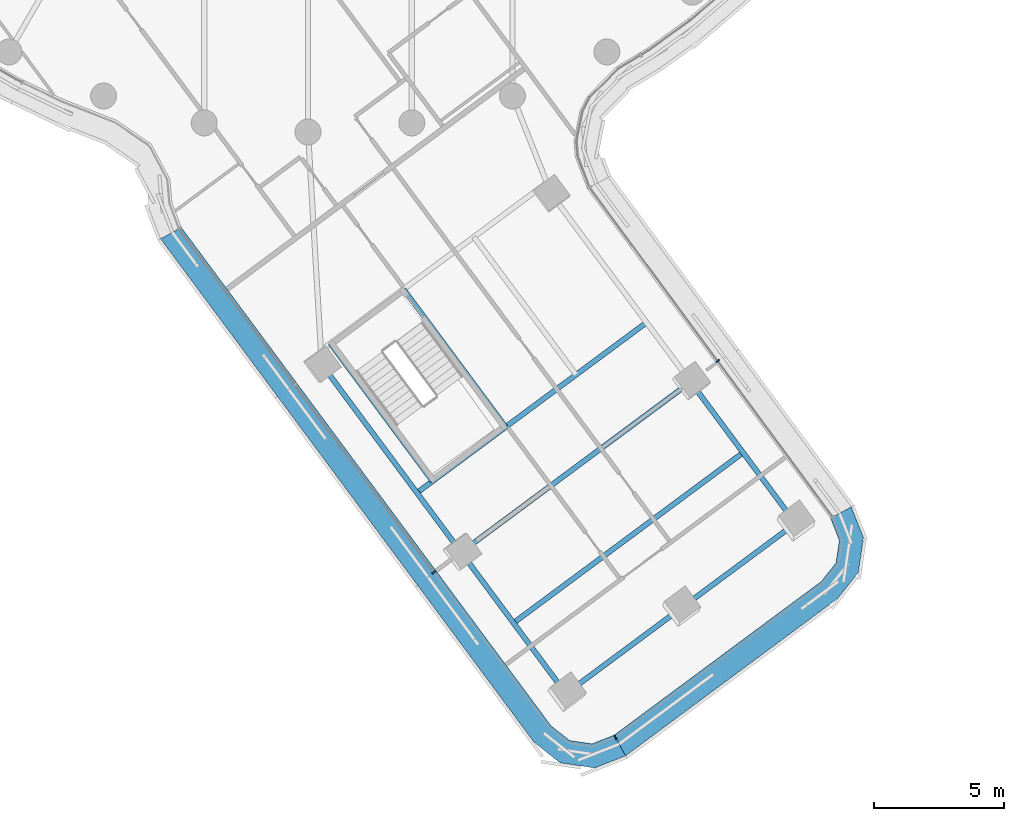
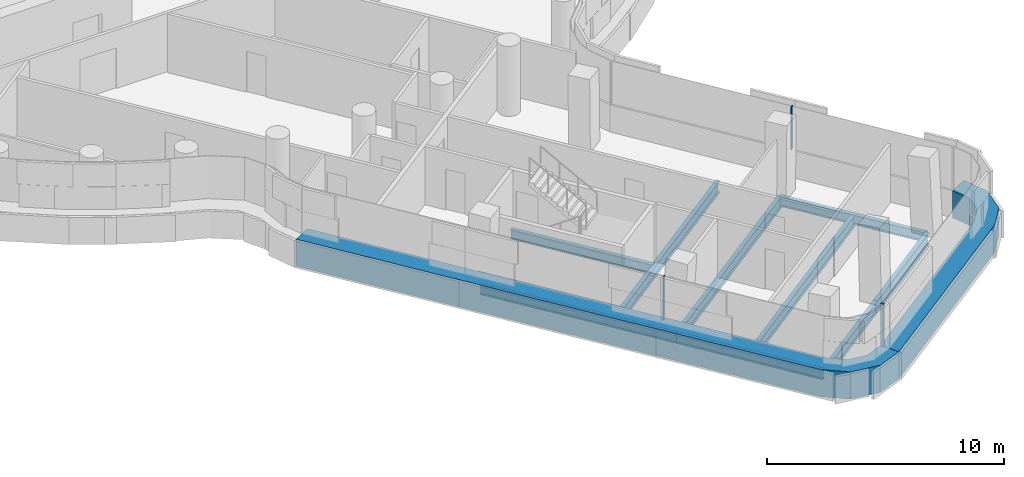
# One storey, part 4 of 32: 10 beams, 5 members, 3 elements without a shape of their own.
"""IFC4 building model written with IfcOpenShell, lengths in metres."""

from ifc_helpers import new_model, si_unit, direction, frame, origin, origin_2d, place, context, subcontext, project, spatial, polyline, rectangle, i_section, outline, extrude, material, layer, layer_set, material_profile, profile_set, type_object, element, aggregate, save


model = new_model("IFC4")

# Units and contexts
model_context = context("Model", 3, precision=1e-05, world=origin(), true_north=direction((0.0, 1.0)))
body_context = subcontext(model_context, "Body", "Model", "MODEL_VIEW")
ifc_project = project(units=[si_unit("LENGTHUNIT", "METRE"), si_unit("AREAUNIT", "SQUARE_METRE"), si_unit("VOLUMEUNIT", "CUBIC_METRE"), si_unit("PLANEANGLEUNIT", "RADIAN"), si_unit("MASSUNIT", "GRAM", prefix="KILO")], contexts=[model_context])

# Site, building, storey
site_placement = place(None, origin())
site = spatial("IfcSite", under=ifc_project, at=site_placement, CompositionType="ELEMENT")
building_placement = place(site_placement, origin())
building = spatial("IfcBuilding", under=site, at=building_placement, Name="Tamarind Cross Interchange Tower", CompositionType="ELEMENT")
storey_placement = place(building_placement, frame((0.0, 0.0, 166.75)))
storey = spatial("IfcBuildingStorey", under=building, at=storey_placement, Name="L41", CompositionType="ELEMENT", Elevation=166.75)

# Beams
ifc_material_1 = material(Name="Steel Q355B", Category="steel")
ifc_material_profile_1 = material_profile(ifc_material_1, i_section(OverallWidth=0.198974609375, OverallDepth=0.49609375, WebThickness=0.009033203125, FlangeThickness=0.013916015625, FilletRadius=0.012939453125, at=origin_2d()), Name="HN 496x199x9x14")
ifc_profile_set_1 = profile_set([ifc_material_profile_1], Name="Steel Q355B")
beam_type_1 = type_object("IfcBeamType", Name="Composite beam HN 496x199x9x14 Q355B", PredefinedType="BEAM", material=ifc_profile_set_1)
beam_1_placement = place(storey_placement, frame((9.92529296875, -44.611572265625, -0.387939453125), z_axis=(-0.595787681716, 0.803141978928, 0.0), x_axis=(-0.803141978928, -0.595787681716, 0.0)))
element("IfcBeam", 1, at=beam_1_placement, inside=storey, type_object=beam_type_1, Name="Beam S-edgeem5", PredefinedType="BEAM", context=body_context, shape_type="SweptSolid", body=[
    extrude(i_section(OverallWidth=0.198974609375, OverallDepth=0.49609375, WebThickness=0.009033203125, FlangeThickness=0.013916015625, FilletRadius=0.012939453125, at=origin_2d()), origin(), (0.0, 0.0, 1.0), 6.773681640625),
])
beam_2_placement = place(storey_placement, frame((5.8896484375, -39.17138671875, -0.387939453125), z_axis=(-0.595772989067, 0.803152878036, 0.0), x_axis=(-0.803152878036, -0.595772989067, 0.0)))
element("IfcBeam", 2, at=beam_2_placement, inside=storey, type_object=beam_type_1, Name="Beam S-edgeem6", PredefinedType="BEAM", context=body_context, shape_type="SweptSolid", body=[
    extrude(i_section(OverallWidth=0.198974609375, OverallDepth=0.49609375, WebThickness=0.009033203125, FlangeThickness=0.013916015625, FilletRadius=0.012939453125, at=origin_2d()), origin(), (0.0, 0.0, 1.0), 9.000244140625),
])
beam_3_placement = place(storey_placement, frame((18.759765625, -38.057861328125, -0.387939453125), z_axis=(-0.595764432018, 0.803159225523, 0.0), x_axis=(-0.803159225523, -0.595764432018, 0.0)))
element("IfcBeam", 3, at=beam_3_placement, inside=storey, type_object=beam_type_1, Name="Beam S-edgeep2", PredefinedType="BEAM", context=body_context, shape_type="SweptSolid", body=[
    extrude(i_section(OverallWidth=0.198974609375, OverallDepth=0.49609375, WebThickness=0.009033203125, FlangeThickness=0.013916015625, FilletRadius=0.012939453125, at=origin_2d()), origin(), (0.0, 0.0, 1.0), 6.7734375),
])
for number, where, z_axis, x_axis, name in (
    (4, (0.86181640625, -31.134765625, -0.387939453125), (0.595777656859, -0.803149415481, 0.0), (0.803149415481, 0.595777656859, 0.0), "Beam S-tr0"),
    (5, (3.6728515625, -29.049560546875, -0.387939453125), (0.595777656859, -0.803149415481, 0.0), (0.803149415481, 0.595777656859, 0.0), "Beam S-tr1"),
):
    element("IfcBeam", number, at=place(storey_placement, frame(where, z_axis=z_axis, x_axis=x_axis)), inside=storey, type_object=beam_type_1, Name=name, PredefinedType="BEAM", context=body_context, shape_type="SweptSolid", body=[
        extrude(i_section(OverallWidth=0.198974609375, OverallDepth=0.49609375, WebThickness=0.009033203125, FlangeThickness=0.013916015625, FilletRadius=0.012939453125, at=origin_2d()), origin(), (0.0, 0.0, 1.0), 6.60009765625),
    ])
ifc_material_profile_2 = material_profile(ifc_material_1, i_section(OverallWidth=0.199951171875, OverallDepth=0.60009765625, WebThickness=0.010986328125, FlangeThickness=0.01708984375, FilletRadius=0.012939453125, at=origin_2d()), Name="HN 600x200x11x17")
ifc_profile_set_2 = profile_set([ifc_material_profile_2], Name="Steel Q355B")
beam_type_2 = type_object("IfcBeamType", Name="Composite beam HN 600x200x11x17 Q355B", PredefinedType="BEAM", material=ifc_profile_set_2)
for number, where, z_axis, x_axis, name in (
    (6, (9.92529296875, -44.611572265625, -0.43994140625), (0.803137083206, 0.595794281258, 0.0), (-0.595794281258, 0.803137083206, 0.0), "Beam S-tip0"),
    (7, (14.342529296875, -41.334716796875, -0.43994140625), (0.803137083206, 0.595794281258, 0.0), (-0.595794281258, 0.803137083206, 0.0), "Beam S-tip1"),
):
    element("IfcBeam", number, at=place(storey_placement, frame(where, z_axis=z_axis, x_axis=x_axis)), inside=storey, type_object=beam_type_2, Name=name, PredefinedType="BEAM", context=body_context, shape_type="SweptSolid", body=[
        extrude(i_section(OverallWidth=0.199951171875, OverallDepth=0.60009765625, WebThickness=0.010986328125, FlangeThickness=0.01708984375, FilletRadius=0.012939453125, at=origin_2d()), origin(), (0.0, 0.0, 1.0), 5.5),
    ])
beam_4_placement = place(storey_placement, frame((4.191650390625, -36.88232421875, -0.43994140625), z_axis=(0.803155581461, 0.595769344603, 0.0), x_axis=(-0.595769344603, 0.803155581461, 0.0)))
element("IfcBeam", 8, at=beam_4_placement, inside=storey, type_object=beam_type_2, Name="Beam S-x364", PredefinedType="BEAM", context=body_context, shape_type="SweptSolid", body=[
    extrude(i_section(OverallWidth=0.199951171875, OverallDepth=0.60009765625, WebThickness=0.010986328125, FlangeThickness=0.01708984375, FilletRadius=0.012939453125, at=origin_2d()), origin(), (0.0, 0.0, 1.0), 11.0),
])
beam_5_placement = place(storey_placement, frame((5.8896484375, -39.17138671875, -0.43994140625), z_axis=(0.803144961463, 0.595783661136, 0.0), x_axis=(-0.595783661136, 0.803144961463, 0.0)))
element("IfcBeam", 9, at=beam_5_placement, inside=storey, type_object=beam_type_2, Name="Beam S-x393", PredefinedType="BEAM", context=body_context, shape_type="SweptSolid", body=[
    extrude(i_section(OverallWidth=0.199951171875, OverallDepth=0.60009765625, WebThickness=0.010986328125, FlangeThickness=0.01708984375, FilletRadius=0.012939453125, at=origin_2d()), origin(), (0.0, 0.0, 1.0), 11.000244140625),
])
beam_6_placement = place(storey_placement, frame((7.907470703125, -41.891357421875, -0.43994140625), z_axis=(0.803147703478, 0.59577996475, 0.0), x_axis=(-0.59577996475, 0.803147703478, 0.0)))
element("IfcBeam", 10, at=beam_6_placement, inside=storey, type_object=beam_type_2, Name="Beam S-x427", PredefinedType="BEAM", context=body_context, shape_type="SweptSolid", body=[
    extrude(i_section(OverallWidth=0.199951171875, OverallDepth=0.60009765625, WebThickness=0.010986328125, FlangeThickness=0.01708984375, FilletRadius=0.012939453125, at=origin_2d()), origin(), (0.0, 0.0, 1.0), 10.999755859375),
])

# Curtain wall, member
ifc_material_2 = material(Name="Aluminium 6063-T6", Category="aluminium")
ifc_layer = layer(ifc_material_2, 0.159912109375)
ifc_layer_set = layer_set([ifc_layer], Name="Aluminium 6063-T6")
curtain_wall_type = type_object("IfcCurtainWallType", Name="Office curtain wall, 9.0 m bays", PredefinedType="NOTDEFINED", material=ifc_layer_set)
curtain_wall_1_placement = place(storey_placement, origin())
curtain_wall_1 = element("IfcCurtainWall", 11, at=curtain_wall_1_placement, inside=storey, type_object=curtain_wall_type, Name="CWS-L41-11", PredefinedType="NOTDEFINED")
ifc_material_3 = material(Name="Aluminium and insulated spandrel panel", Category="aluminium")
member_type_1 = type_object("IfcMemberType", Name="Floor-edge blade transom", PredefinedType="USERDEFINED", material=ifc_material_3)
member_1_placement = place(storey_placement, origin())
member_1 = element("IfcMember", 12, at=member_1_placement, type_object=member_type_1, Name="CWT-L41-11", ObjectType="TRANSOM", PredefinedType="USERDEFINED", context=body_context, shape_type="SweptSolid", body=[
    extrude(outline(polyline([(-4.876220703125, -26.67236328125), (9.347412109375, -45.846923828125), (10.064453125, -46.416015625), (10.9296875, -46.544189453125), (11.781005859375, -46.20751953125), (12.221923828125, -47.0009765625), (11.0361328125, -47.4697265625), (9.694091796875, -47.270751953125), (8.6953125, -46.478271484375), (-5.6728515625, -27.109130859375), (-4.876220703125, -26.67236328125)])), origin(), (0.0, 0.0, 1.0), 1.39990234375),
])

curtain_wall_2_placement = place(storey_placement, origin())
curtain_wall_2 = element("IfcCurtainWall", 13, at=curtain_wall_2_placement, inside=storey, type_object=curtain_wall_type, Name="CWS-L41-12", PredefinedType="NOTDEFINED")
member_2_placement = place(storey_placement, origin())
member_2 = element("IfcMember", 14, at=member_2_placement, type_object=member_type_1, Name="CWT-L41-12", ObjectType="TRANSOM", PredefinedType="USERDEFINED", context=body_context, shape_type="SweptSolid", body=[
    extrude(outline(polyline([(11.781005859375, -46.20751953125), (19.7490234375, -40.296875), (20.31787109375, -39.579833984375), (20.4462890625, -38.71484375), (20.109619140625, -37.863037109375), (20.9033203125, -37.423095703125), (21.371826171875, -38.608154296875), (21.1728515625, -39.950439453125), (20.38037109375, -40.94921875), (12.221923828125, -47.0009765625), (11.781005859375, -46.20751953125)])), origin(), (0.0, 0.0, 1.0), 1.39990234375),
])

# Member
ifc_material_profile_3 = material_profile(ifc_material_2, rectangle(XDim=0.06005859375, YDim=0.159912109375, at=origin_2d()), Name="Mullion CW1")
ifc_profile_set_3 = profile_set([ifc_material_profile_3], Name="Aluminium 6063-T6")
member_type_2 = type_object("IfcMemberType", Name="Mullion CW1", PredefinedType="MULLION", material=ifc_profile_set_3)
member_3_placement = place(storey_placement, frame((4.83984375, -39.938232421875, 1.39990234375), z_axis=(0.0, 0.0, 1.0), x_axis=(0.595776404136, -0.803150344752, 0.0)))
member_3 = element("IfcMember", 15, at=member_3_placement, type_object=member_type_2, Name="CWM-L41-11-02", PredefinedType="MULLION", context=body_context, shape_type="SweptSolid", body=[
    extrude(rectangle(XDim=0.06005859375, YDim=0.159912109375, at=origin_2d()), origin(), (0.0, 0.0, 1.0), 2.210205078125),
])

aggregate(curtain_wall_1, [member_3, member_1])

member_4_placement = place(storey_placement, frame((11.829833984375, -46.2958984375, 1.39990234375), z_axis=(0.0, 0.0, 1.0), x_axis=(0.874043707661, 0.485847298127, 0.0)))
member_4 = element("IfcMember", 16, at=member_4_placement, type_object=member_type_2, Name="CWM-L41-12-00", PredefinedType="MULLION", context=body_context, shape_type="SweptSolid", body=[
    extrude(rectangle(XDim=0.06005859375, YDim=0.159912109375, at=origin_2d()), origin(), (0.0, 0.0, 1.0), 2.210205078125),
])

aggregate(curtain_wall_2, [member_4, member_2])

# Curtain wall, member
curtain_wall_3_placement = place(storey_placement, origin())
curtain_wall_3 = element("IfcCurtainWall", 17, at=curtain_wall_3_placement, inside=storey, type_object=curtain_wall_type, Name="CWS-L41-13", PredefinedType="NOTDEFINED")
member_5_placement = place(storey_placement, frame((15.7666015625, -31.810302734375, 1.39990234375), z_axis=(0.0, 0.0, 1.0), x_axis=(-0.593819308082, 0.804598427384, 0.0)))
member_5 = element("IfcMember", 18, at=member_5_placement, type_object=member_type_2, Name="CWM-L41-13-01", PredefinedType="MULLION", context=body_context, shape_type="SweptSolid", body=[
    extrude(rectangle(XDim=0.06005859375, YDim=0.159912109375, at=origin_2d()), origin(), (0.0, 0.0, 1.0), 2.210205078125),
])
aggregate(curtain_wall_3, [member_5])

save(model, "model.ifc")
